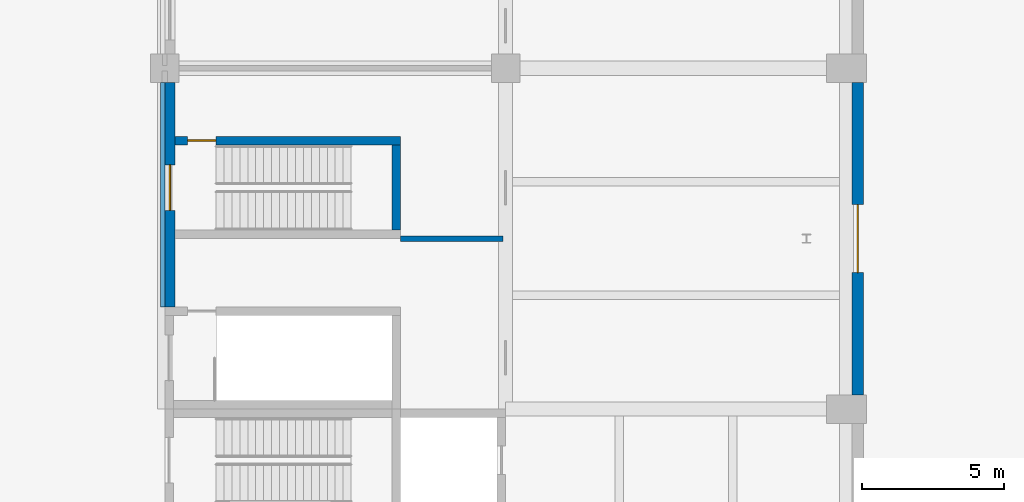
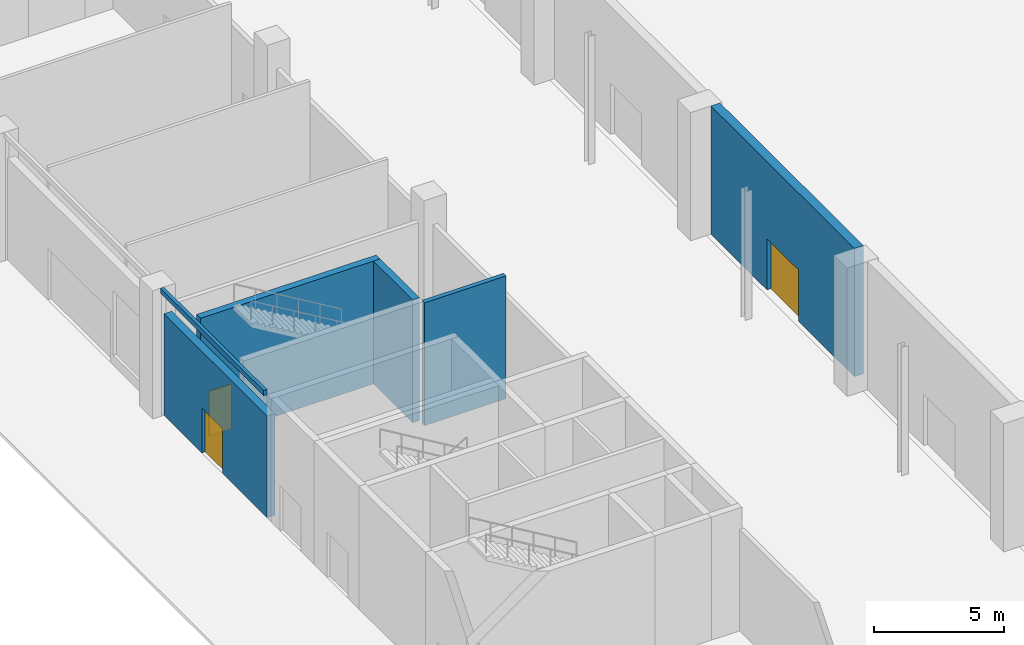
# One storey, part 34 of 59: 6 walls, 3 doors, 3 openings.
"""IFC4 building model written with IfcOpenShell, lengths in metres."""

from ifc_helpers import new_model, si_unit, direction, frame, frame_2d, origin, place, context, subcontext, project, spatial, rectangle, extrude, material, layer, layer_set, type_object, element, fill, save


model = new_model("IFC4")

# Units and contexts
model_context = context("Model", 3, precision=1e-05, world=origin(), true_north=direction((0.0, 1.0)))
body_context = subcontext(model_context, "Body", "Model", "MODEL_VIEW")
ifc_project = project(units=[si_unit("LENGTHUNIT", "METRE"), si_unit("AREAUNIT", "SQUARE_METRE"), si_unit("VOLUMEUNIT", "CUBIC_METRE"), si_unit("PLANEANGLEUNIT", "RADIAN"), si_unit("MASSUNIT", "GRAM", prefix="KILO")], contexts=[model_context])

# Site, building, storey
site_placement = place(None, origin())
site = spatial("IfcSite", under=ifc_project, at=site_placement, CompositionType="ELEMENT")
building_placement = place(site_placement, origin())
building = spatial("IfcBuilding", under=site, at=building_placement, Name="Lilac Gate Convention Centre", CompositionType="ELEMENT")
storey_placement = place(building_placement, origin())
storey = spatial("IfcBuildingStorey", under=building, at=storey_placement, Name="L00", CompositionType="ELEMENT", Elevation=0.0)

# Wall, opening, door
ifc_material_1 = material(Name="Concrete C30", Category="concrete")
ifc_layer_1 = layer(ifc_material_1, 0.39990234375)
ifc_layer_set_1 = layer_set([ifc_layer_1], Name="Concrete C30")
wall_type_1 = type_object("IfcWallType", Name="Hall fire wall 400", PredefinedType="SOLIDWALL", material=ifc_layer_set_1)
wall_1_placement = place(storey_placement, frame((30.39990234375, 54.5, 0.0), z_axis=(0.0, 0.0, 1.0), x_axis=(0.0, 1.0, 0.0)))
wall_1 = element("IfcWall", 1, at=wall_1_placement, inside=storey, type_object=wall_type_1, Name="Fire wall galleria FW L00 3", PredefinedType="SOLIDWALL", context=body_context, shape_type="SweptSolid", body=[
    extrude(rectangle(XDim=11.0, YDim=0.39990234375, at=frame_2d((5.5, 0.0))), origin(), (0.0, 0.0, 1.0), 6.0),
])
opening_1_placement = place(wall_1_placement, frame((4.300048828125, 0.0, 0.0)))
opening_1 = element("IfcOpeningElement", 2, at=opening_1_placement, cuts=wall_1, Name="Opening L00-017", PredefinedType="OPENING", context=body_context, shape_type="SweptSolid", body=[
    extrude(rectangle(XDim=2.39990234375, YDim=2.39990234375, at=frame_2d((1.199951171875, 1.199951171875))), frame((0.0, 0.2099609375, 0.0), z_axis=(0.0, -1.0, 0.0), x_axis=(1.0, 0.0, 0.0)), (0.0, 0.0, 1.0), 0.419921875),
])
ifc_material_2 = material(Name="Steel Q235B", Category="steel")
door_type_1 = type_object("IfcDoorType", Name="Door 2400 x 2400 double leaf FD90", OperationType="DOUBLE_DOOR_SINGLE_SWING", PredefinedType="DOOR", material=ifc_material_2)
door_1_placement = place(opening_1_placement, origin())
door_1 = element("IfcDoor", 3, at=door_1_placement, inside=storey, type_object=door_type_1, Name="Hall exit door L00-017", OperationType="DOUBLE_DOOR_SINGLE_SWING", OverallHeight=2.39990234375, OverallWidth=2.39990234375, PredefinedType="DOOR", context=body_context, shape_type="SweptSolid", body=[
    extrude(rectangle(XDim=2.39990234375, YDim=2.39990234375, at=frame_2d((1.199951171875, 1.199951171875))), frame((0.0, 0.02490234375, 0.0), z_axis=(0.0, -1.0, 0.0), x_axis=(1.0, 0.0, 0.0)), (0.0, 0.0, 1.0), 0.050048828125),
])
fill(opening_1, door_1)

# Wall
ifc_material_3 = material(Name="Clay brick masonry", Category="masonry")
ifc_layer_2 = layer(ifc_material_3, 0.199951171875)
ifc_layer_set_2 = layer_set([ifc_layer_2], Name="Clay brick masonry")
wall_type_2 = type_object("IfcWallType", Name="Partition 200 brick EI 60", PredefinedType="PARTITIONING", material=ifc_layer_set_2)
wall_2_placement = place(storey_placement, frame((14.300048828125, 60.0, 0.0), z_axis=(0.0, 0.0, 1.0), x_axis=(1.0, 0.0, 0.0)))
element("IfcWall", 4, at=wall_2_placement, inside=storey, type_object=wall_type_2, Name="Partition 200 brick EI 60", PredefinedType="PARTITIONING", context=body_context, shape_type="SweptSolid", body=[
    extrude(rectangle(XDim=3.599853515625, YDim=0.199951171875, at=frame_2d((1.7998046875, 0.0))), origin(), (0.0, 0.0, 1.0), 5.75),
])

# Wall, opening, door
ifc_material_4 = material(Name="Ochre mineral render")
ifc_layer_3 = layer(ifc_material_4, 0.02001953125)
ifc_material_5 = material(Name="Concrete C40 precast", Category="concrete")
ifc_layer_4 = layer(ifc_material_5, 0.06005859375)
ifc_material_6 = material(Name="Ventilated air cavity")
ifc_layer_5 = layer(ifc_material_6, 0.030029296875)
ifc_material_7 = material(Name="Mineral wool insulation")
ifc_layer_6 = layer(ifc_material_7, 0.169921875)
ifc_material_8 = material(Name="Steel stud Q345 and gypsum lining", Category="steel")
ifc_layer_7 = layer(ifc_material_8, 0.070068359375)
ifc_layer_set_3 = layer_set([ifc_layer_3, ifc_layer_4, ifc_layer_5, ifc_layer_6, ifc_layer_7], Name="Ochre mineral render, Concrete C40 precast, Ventilated air cavity, Mineral wool insulation, Steel stud Q345 and gypsum lining")
wall_type_3 = type_object("IfcWallType", Name="Podium precast wall 350", PredefinedType="STANDARD", material=ifc_layer_set_3)
wall_3_placement = place(storey_placement, frame((6.175048828125, 65.5, 0.0), z_axis=(0.0, 0.0, 1.0), x_axis=(0.0, -1.0, 0.0)))
wall_3 = element("IfcWall", 5, at=wall_3_placement, inside=storey, type_object=wall_type_3, Name="External wall west PW L00 11", PredefinedType="STANDARD", context=body_context, shape_type="SweptSolid", body=[
    extrude(rectangle(XDim=7.89990234375, YDim=0.35009765625, at=frame_2d((3.949951171875, 0.0))), origin(), (0.0, 0.0, 1.0), 4.75),
])
opening_2_placement = place(wall_3_placement, frame((2.89990234375, 0.0, 0.0)))
opening_2 = element("IfcOpeningElement", 6, at=opening_2_placement, cuts=wall_3, Name="Opening L00-018", PredefinedType="OPENING", context=body_context, shape_type="SweptSolid", body=[
    extrude(rectangle(XDim=1.60009765625, YDim=2.10009765625, at=frame_2d((0.800048828125, 1.050048828125))), frame((0.0, 0.18505859375, 0.0), z_axis=(0.0, -1.0, 0.0), x_axis=(1.0, 0.0, 0.0)), (0.0, 0.0, 1.0), 0.3701171875),
])
ifc_material_9 = material(Name="Timber fire door leaf", Category="wood")
door_type_2 = type_object("IfcDoorType", Name="Door 1600 x 2100 double leaf FD60", OperationType="DOUBLE_DOOR_SINGLE_SWING", PredefinedType="DOOR", material=ifc_material_9)
door_2_placement = place(opening_2_placement, frame((1.60009765625, 0.0, 0.0), z_axis=(0.0, 0.0, 1.0), x_axis=(-1.0, 0.0, 0.0)))
door_2 = element("IfcDoor", 7, at=door_2_placement, inside=storey, type_object=door_type_2, Name="Stair exit door L00-018", OperationType="DOUBLE_DOOR_SINGLE_SWING", OverallHeight=2.10009765625, OverallWidth=1.60009765625, PredefinedType="DOOR", context=body_context, shape_type="SweptSolid", body=[
    extrude(rectangle(XDim=1.60009765625, YDim=2.10009765625, at=frame_2d((0.800048828125, 1.050048828125))), frame((0.0, 0.02490234375, 0.0), z_axis=(0.0, -1.0, 0.0), x_axis=(1.0, 0.0, 0.0)), (0.0, 0.0, 1.0), 0.050048828125),
])
fill(opening_2, door_2)

# Wall
ifc_layer_8 = layer(ifc_material_5, 0.1298828125)
ifc_material_10 = material(Name="Teal glazed cladding")
ifc_layer_9 = layer(ifc_material_10, 0.02001953125)
ifc_layer_set_4 = layer_set([ifc_layer_8, ifc_layer_9], Name="Concrete C40 precast, Teal glazed cladding")
wall_type_4 = type_object("IfcWallType", Name="Precast band teal 150", PredefinedType="STANDARD", material=ifc_layer_set_4)
wall_4_placement = place(storey_placement, frame((5.925048828125, 65.5, 5.75), z_axis=(0.0, 0.0, 1.0), x_axis=(0.0, -1.0, 0.0)))
element("IfcWall", 8, at=wall_4_placement, inside=storey, type_object=wall_type_4, Name="Precast band PW L00 11", PredefinedType="STANDARD", context=body_context, shape_type="SweptSolid", body=[
    extrude(rectangle(XDim=7.89990234375, YDim=0.14990234375, at=frame_2d((3.949951171875, 0.0))), origin(), (0.0, 0.0, 1.0), 0.25),
])

# Wall, opening, door
ifc_material_11 = material(Name="Concrete C40", Category="concrete")
ifc_layer_10 = layer(ifc_material_11, 0.300048828125)
ifc_layer_set_5 = layer_set([ifc_layer_10], Name="Concrete C40")
wall_type_5 = type_object("IfcWallType", Name="Shear wall 300 C40", PredefinedType="SHEAR", material=ifc_layer_set_5)
wall_5_placement = place(storey_placement, frame((6.35009765625, 63.449951171875, 0.0), z_axis=(0.0, 0.0, 1.0), x_axis=(1.0, 0.0, 0.0)))
wall_5 = element("IfcWall", 9, at=wall_5_placement, inside=storey, type_object=wall_type_5, Name="SW1 shear wall UW1 L00 2", PredefinedType="SHEAR", context=body_context, shape_type="SweptSolid", body=[
    extrude(rectangle(XDim=7.949951171875, YDim=0.300048828125, at=frame_2d((3.97509765625, 0.0))), origin(), (0.0, 0.0, 1.0), 5.75),
])
opening_3_placement = place(wall_5_placement, frame((0.449951171875, 0.0, 0.0)))
opening_3 = element("IfcOpeningElement", 10, at=opening_3_placement, cuts=wall_5, Name="Opening L00-020", PredefinedType="OPENING", context=body_context, shape_type="SweptSolid", body=[
    extrude(rectangle(XDim=1.0, YDim=2.10009765625, at=frame_2d((0.5, 1.050048828125))), frame((0.0, 0.159912109375, 0.0), z_axis=(0.0, -1.0, 0.0), x_axis=(1.0, 0.0, 0.0)), (0.0, 0.0, 1.0), 0.320068359375),
])
door_type_3 = type_object("IfcDoorType", Name="Door 1000 x 2100 single leaf FD60", OperationType="SINGLE_SWING_LEFT", PredefinedType="DOOR", material=ifc_material_9)
door_3_placement = place(opening_3_placement, frame((1.0, 0.0, 0.0), z_axis=(0.0, 0.0, 1.0), x_axis=(-1.0, 0.0, 0.0)))
door_3 = element("IfcDoor", 11, at=door_3_placement, inside=storey, type_object=door_type_3, Name="Stair door L00-020", OperationType="SINGLE_SWING_LEFT", OverallHeight=2.10009765625, OverallWidth=1.0, PredefinedType="DOOR", context=body_context, shape_type="SweptSolid", body=[
    extrude(rectangle(XDim=1.0, YDim=2.10009765625, at=frame_2d((0.5, 1.050048828125))), frame((0.0, 0.02490234375, 0.0), z_axis=(0.0, -1.0, 0.0), x_axis=(1.0, 0.0, 0.0)), (0.0, 0.0, 1.0), 0.050048828125),
])
fill(opening_3, door_3)

# Wall
wall_6_placement = place(storey_placement, frame((14.14990234375, 60.300048828125, 0.0), z_axis=(0.0, 0.0, 1.0), x_axis=(0.0, 1.0, 0.0)))
element("IfcWall", 12, at=wall_6_placement, inside=storey, type_object=wall_type_5, Name="SW1 shear wall UW1 L00 3", PredefinedType="SHEAR", context=body_context, shape_type="SweptSolid", body=[
    extrude(rectangle(XDim=3.0, YDim=0.300048828125, at=frame_2d((1.5, 0.0))), origin(), (0.0, 0.0, 1.0), 5.75),
])

save(model, "model.ifc")
